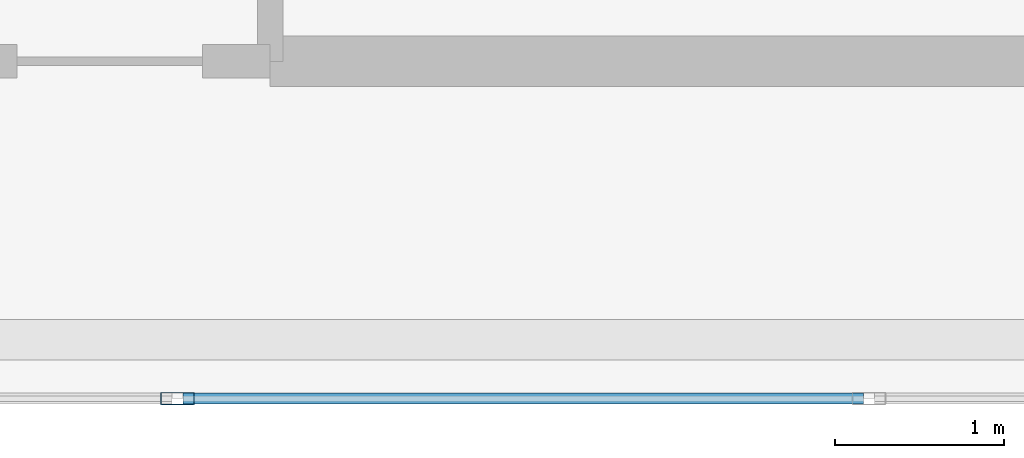
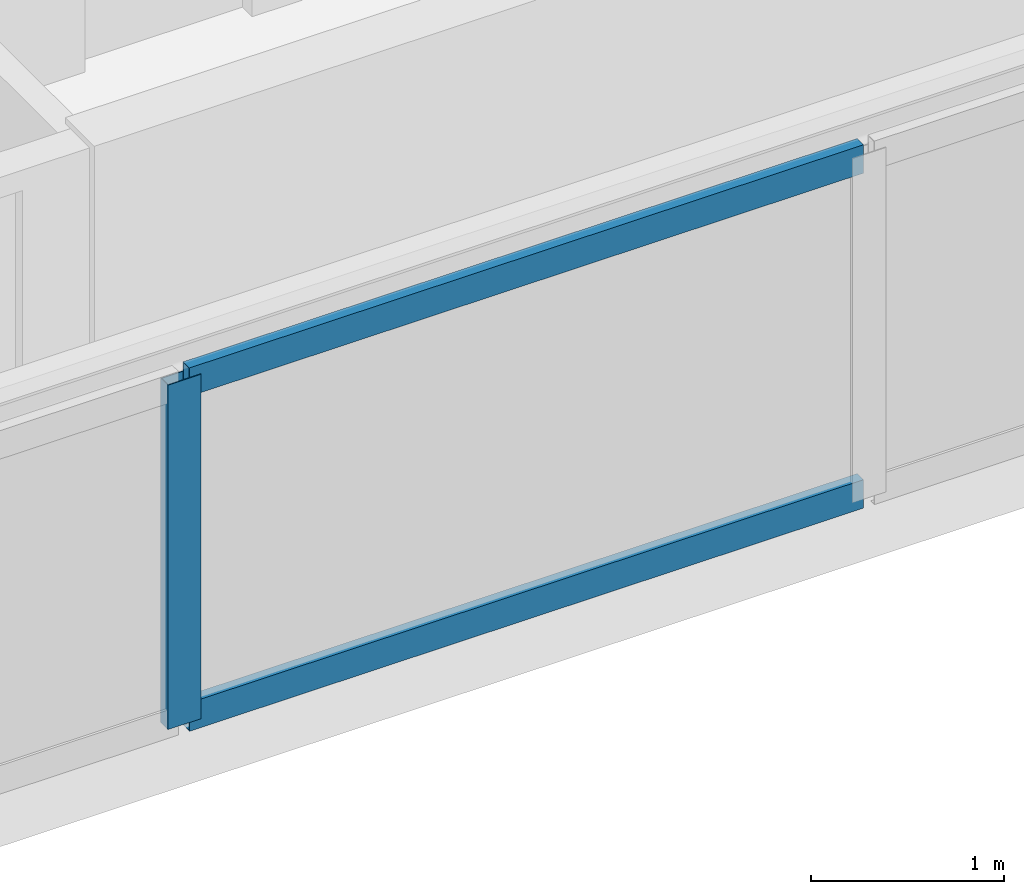
# One storey, part 4 of 9: 3 members, 1 element without a shape of its own.
"""IFC4 building model written with IfcOpenShell, lengths in metres."""

import ifcopenshell
import ifcopenshell.guid

model = None  # the IFC model being written
_history = None  # IfcOwnerHistory: only IFC2X3 demands one
_inside = {}  # id of a spatial element -> (the spatial element, [elements in it])
_under = {}  # id of a project, library or spatial element -> (it, [spatial elements below it])
_declared = {}  # id of a project -> (the project, [libraries it declares])
_typed = {}  # id of a type object -> (the type object, [elements of that type])
_made_of = {}  # id of a material, layer set ... -> (it, [elements and type objects made of it])


def new_model(schema):
    """Start an empty IFC model of exactly this schema.

    Asked for "IFC4X3", IfcOpenShell would pick the latest addendum, in which some entities
    have other attributes; the version numbers below select the first issue.
    IFC2X3 requires an IfcOwnerHistory on every rooted entity: one is made here for all.
    """
    global model, _history
    if schema == "IFC4X3":
        model = ifcopenshell.file(schema_version=(4, 3, 0, 0))
    else:
        model = ifcopenshell.file(schema=schema)
    _inside.clear()
    _under.clear()
    _declared.clear()
    _typed.clear()
    _made_of.clear()
    _history = None
    if model.schema == "IFC2X3":
        org = make("IfcOrganization", Name="unknown")
        user = make(
            "IfcPersonAndOrganization",
            ThePerson=make("IfcPerson", FamilyName="unknown"),
            TheOrganization=org,
        )
        app = make(
            "IfcApplication",
            ApplicationDeveloper=org,
            Version="unknown",
            ApplicationFullName="unknown",
            ApplicationIdentifier="unknown",
        )
        _history = make(
            "IfcOwnerHistory",
            OwningUser=user,
            OwningApplication=app,
            ChangeAction="ADDED",
            CreationDate=0,
        )
    return model


def make(cls, **values):
    """One entity of the class cls with the attributes given. An attribute that is None is left unset."""
    return model.create_entity(
        cls, **{name: value for name, value in values.items() if value is not None}
    )


def rooted(cls, **values):
    """An entity with a GlobalId (a new one), such as an element, a storey or a relation."""
    return make(cls, GlobalId=ifcopenshell.guid.new(), OwnerHistory=_history, **values)


def si_unit(unit_type, name, prefix=None):
    """IfcSIUnit, for example si_unit("LENGTHUNIT", "METRE", prefix="MILLI")."""
    return make("IfcSIUnit", UnitType=unit_type, Prefix=prefix, Name=name)


def assignment(units):
    """IfcUnitAssignment: the units of a project."""
    return None if units is None else make("IfcUnitAssignment", Units=units)


def point(xyz):
    """IfcCartesianPoint."""
    return None if xyz is None else make("IfcCartesianPoint", Coordinates=xyz)


def direction(xyz):
    """IfcDirection."""
    return None if xyz is None else make("IfcDirection", DirectionRatios=xyz)


def frame(location, z_axis=None, x_axis=None):
    """IfcAxis2Placement3D, a coordinate frame: its origin and axes. An axis left out is left unset."""
    return make(
        "IfcAxis2Placement3D",
        Location=point(location),
        Axis=direction(z_axis),
        RefDirection=direction(x_axis),
    )


def frame_2d(location, x_axis=None):
    """IfcAxis2Placement2D, a coordinate frame in the plane: its origin and x axis."""
    return make(
        "IfcAxis2Placement2D", Location=point(location), RefDirection=direction(x_axis)
    )


def origin():
    """The frame at (0, 0, 0) with its axes left unset."""
    return frame((0.0, 0.0, 0.0))


def origin_2d():
    """The frame at (0, 0) in the plane with its x axis left unset."""
    return frame_2d((0.0, 0.0))


def place(relative_to, where):
    """IfcLocalPlacement: puts the frame where relative to a parent placement (None: the world)."""
    return make(
        "IfcLocalPlacement", PlacementRelTo=relative_to, RelativePlacement=where
    )


def context(
    kind, dimensions, precision=None, world=None, true_north=None, identifier=None
):
    """IfcGeometricRepresentationContext, for example the 3D "Model" context."""
    return make(
        "IfcGeometricRepresentationContext",
        ContextIdentifier=identifier,
        ContextType=kind,
        CoordinateSpaceDimension=dimensions,
        Precision=precision,
        WorldCoordinateSystem=world,
        TrueNorth=true_north,
    )


def subcontext(parent, identifier, kind, view, scale=None):
    """IfcGeometricRepresentationSubContext, for example "Body" below "Model"."""
    return make(
        "IfcGeometricRepresentationSubContext",
        ContextIdentifier=identifier,
        ContextType=kind,
        ParentContext=parent,
        TargetScale=scale,
        TargetView=view,
    )


def project(units=None, contexts=None):
    """IfcProject with its units and contexts."""
    return rooted(
        "IfcProject",
        Name="project",
        RepresentationContexts=contexts,
        UnitsInContext=assignment(units),
    )


def spatial(cls, under=None, at=None, **own):
    """A site, building, storey or space (cls), placed at a placement, below another one or the project."""
    s = rooted(cls, ObjectPlacement=at, **own)
    if under is not None:
        _under.setdefault(under.id(), (under, []))[1].append(s)
    return s


def profile(cls, at=None, kind="AREA", **sizes):
    """A parametric profile (cls). Its sizes go by their IFC names, for example OverallWidth=200.0."""
    return make(cls, ProfileType=kind, Position=at, **sizes)


def hollow_rectangle(**sizes):
    """IfcRectangleHollowProfileDef."""
    return profile("IfcRectangleHollowProfileDef", **sizes)


def extrude(swept, where, along, depth):
    """IfcExtrudedAreaSolid: the profile swept, set in the frame where, extruded along a direction by depth."""
    return make(
        "IfcExtrudedAreaSolid",
        SweptArea=swept,
        Position=where,
        ExtrudedDirection=direction(along),
        Depth=depth,
    )


def shape(context_of_items, identifier, shape_type, items):
    """IfcShapeRepresentation: the items that make up one representation, for example the "Body"."""
    return make(
        "IfcShapeRepresentation",
        ContextOfItems=context_of_items,
        RepresentationIdentifier=identifier,
        RepresentationType=shape_type,
        Items=items,
    )


def material(Name=None, Category=None):
    """IfcMaterial."""
    return make("IfcMaterial", Name=Name, Category=Category)


def layer(
    of_material, thickness, ventilated=None, Name=None, Category=None, Priority=None
):
    """IfcMaterialLayer: one layer of a wall or slab, of a material (None: an air gap)."""
    return make(
        "IfcMaterialLayer",
        Material=of_material,
        LayerThickness=thickness,
        IsVentilated=ventilated,
        Name=Name,
        Category=Category,
        Priority=Priority,
    )


def layer_set(layers, Name=None):
    """IfcMaterialLayerSet."""
    return make("IfcMaterialLayerSet", MaterialLayers=layers, LayerSetName=Name)


def material_profile(
    of_material, cross_section, Name=None, Category=None, Priority=None
):
    """IfcMaterialProfile: a cross section and its material."""
    return make(
        "IfcMaterialProfile",
        Name=Name,
        Material=of_material,
        Profile=cross_section,
        Priority=Priority,
        Category=Category,
    )


def profile_set(profiles, Name=None, composite=None):
    """IfcMaterialProfileSet."""
    return make(
        "IfcMaterialProfileSet",
        Name=Name,
        MaterialProfiles=profiles,
        CompositeProfile=composite,
    )


def made_of(thing, what):
    """Note that an element or type object is made of a material, layer set ...; save() writes the relation."""
    if what is not None:
        _made_of.setdefault(what.id(), (what, []))[1].append(thing)
    return thing


def type_object(cls, material=None, **own):
    """A type object (cls), such as IfcWallType, which elements share."""
    return made_of(rooted(cls, **own), material)


def element(
    cls,
    number,
    at=None,
    inside=None,
    cuts=None,
    type_object=None,
    material=None,
    context=None,
    identifier="Body",
    shape_type=None,
    held_by="IfcProductDefinitionShape",
    body=None,
    shapes=None,
    **own,
):
    """One element of the class cls, such as IfcWall. Its Tag is "e" and its number.

    at: its placement. inside: the storey or other place that contains it. cuts: it is an
    opening in that element (IfcRelVoidsElement). A single representation is given by context,
    identifier, shape_type and body (its items); several are given by shapes. held_by: the class
    of the entity that holds the representations. save() writes the other relations.
    """
    e = rooted(cls, Tag="e%d" % number, ObjectPlacement=at, **own)
    if body is not None:
        shapes = [shape(context, identifier, shape_type, body)]
    if shapes is not None:
        e.Representation = make(held_by, Representations=shapes)
    if inside is not None:
        _inside.setdefault(inside.id(), (inside, []))[1].append(e)
    if cuts is not None:
        rooted(
            "IfcRelVoidsElement", RelatingBuildingElement=cuts, RelatedOpeningElement=e
        )
    if type_object is not None:
        _typed.setdefault(type_object.id(), (type_object, []))[1].append(e)
    return made_of(e, material)


def aggregate(whole, parts):
    """IfcRelAggregates: a whole, such as a stair, and the parts it consists of."""
    return rooted("IfcRelAggregates", RelatingObject=whole, RelatedObjects=parts)


def save(model, path):
    """Write the relations noted so far, then the file.

    IfcRelAggregates (storeys below a building ...), IfcRelContainedInSpatialStructure (elements
    in a storey), IfcRelDefinesByType, IfcRelAssociatesMaterial and IfcRelDeclares: one each for
    every whole, place, type object, material and project.
    """
    for whole, parts in _under.values():
        aggregate(whole, parts)
    for where, things in _inside.values():
        rooted(
            "IfcRelContainedInSpatialStructure",
            RelatedElements=things,
            RelatingStructure=where,
        )
    for kind, things in _typed.values():
        rooted("IfcRelDefinesByType", RelatedObjects=things, RelatingType=kind)
    for what, things in _made_of.values():
        rooted("IfcRelAssociatesMaterial", RelatedObjects=things, RelatingMaterial=what)
    for by, libraries in _declared.values():
        rooted("IfcRelDeclares", RelatingContext=by, RelatedDefinitions=libraries)
    model.write(path)


model = new_model("IFC4")

# Units and contexts
model_context = context("Model", 3, precision=1e-05, world=origin(), true_north=direction((0.0, 1.0)))
body_context = subcontext(model_context, "Body", "Model", "MODEL_VIEW")
ifc_project = project(units=[si_unit("LENGTHUNIT", "METRE"), si_unit("AREAUNIT", "SQUARE_METRE"), si_unit("VOLUMEUNIT", "CUBIC_METRE"), si_unit("PLANEANGLEUNIT", "RADIAN"), si_unit("MASSUNIT", "GRAM", prefix="KILO")], contexts=[model_context])

# Site, building, storey
site_placement = place(None, origin())
site = spatial("IfcSite", under=ifc_project, at=site_placement, CompositionType="ELEMENT")
building_placement = place(site_placement, origin())
building = spatial("IfcBuilding", under=site, at=building_placement, Name="Catumbela Crestline Tower", CompositionType="ELEMENT")
storey_placement = place(building_placement, frame((0.0, 0.0, 318.5)))
storey = spatial("IfcBuildingStorey", under=building, at=storey_placement, Name="L82", CompositionType="ELEMENT", Elevation=318.5)

# Curtain wall, members
ifc_material = material(Name="Aluminium alloy AW-6060-T66", Category="aluminium")
ifc_layer = layer(ifc_material, 0.18, Name="Aluminium alloy AW-6060-T66")
ifc_layer_set = layer_set([ifc_layer], Name="Aluminium alloy AW-6060-T66")
curtain_wall_type = type_object("IfcCurtainWallType", Name="CWS-OBS", PredefinedType="USERDEFINED", material=ifc_layer_set)
curtain_wall_placement = place(storey_placement, origin())
curtain_wall = element("IfcCurtainWall", 1, at=curtain_wall_placement, inside=storey, type_object=curtain_wall_type, Name="L82 Stick Curtain Wall CW-L82-E0S1", ObjectType="STICK", PredefinedType="USERDEFINED")
ifc_material_profile_1 = material_profile(ifc_material, hollow_rectangle(XDim=0.075, YDim=0.2, WallThickness=0.005, at=origin_2d()), Name="ALU 200x75x5")
ifc_profile_set_1 = profile_set([ifc_material_profile_1], Name="Aluminium alloy AW-6060-T66")
member_type_1 = type_object("IfcMemberType", Name="MUL-200X75", PredefinedType="MULLION", material=ifc_profile_set_1)
member_1_placement = place(storey_placement, frame((28.4, 28.8, 0.0), z_axis=(0.0, 0.0, 1.0), x_axis=(0.0, 1.0, 0.0)))
member_1 = element("IfcMember", 2, at=member_1_placement, type_object=member_type_1, Name="CWS-OBS mullion 4", PredefinedType="MULLION", context=body_context, shape_type="SweptSolid", body=[
    extrude(hollow_rectangle(XDim=0.075, YDim=0.2, WallThickness=0.005, at=origin_2d()), origin(), (0.0, 0.0, 1.0), 2.18),
])
ifc_material_profile_2 = material_profile(ifc_material, hollow_rectangle(XDim=0.065, YDim=0.18, WallThickness=0.004, at=origin_2d()), Name="ALU 180x65x4")
ifc_profile_set_2 = profile_set([ifc_material_profile_2], Name="Aluminium alloy AW-6060-T66")
member_type_2 = type_object("IfcMemberType", Name="TRN-180X65", PredefinedType="USERDEFINED", material=ifc_profile_set_2)
member_2_placement = place(storey_placement, frame((28.4325, 28.8, 0.03), z_axis=(1.0, 0.0, 0.0), x_axis=(0.0, 1.0, 0.0)))
member_2 = element("IfcMember", 3, at=member_2_placement, type_object=member_type_2, Name="CWS-OBS transom 4.1", ObjectType="TRANSOM", PredefinedType="USERDEFINED", context=body_context, shape_type="SweptSolid", body=[
    extrude(hollow_rectangle(XDim=0.065, YDim=0.18, WallThickness=0.004, at=origin_2d()), origin(), (0.0, 0.0, 1.0), 4.035),
])
member_3_placement = place(storey_placement, frame((28.4325, 28.8, 2.15), z_axis=(1.0, 0.0, 0.0), x_axis=(0.0, 1.0, 0.0)))
member_3 = element("IfcMember", 4, at=member_3_placement, type_object=member_type_2, Name="CWS-OBS transom 4.2", ObjectType="TRANSOM", PredefinedType="USERDEFINED", context=body_context, shape_type="SweptSolid", body=[
    extrude(hollow_rectangle(XDim=0.065, YDim=0.18, WallThickness=0.004, at=origin_2d()), origin(), (0.0, 0.0, 1.0), 4.035),
])
aggregate(curtain_wall, [member_1, member_2, member_3])

save(model, "model.ifc")
